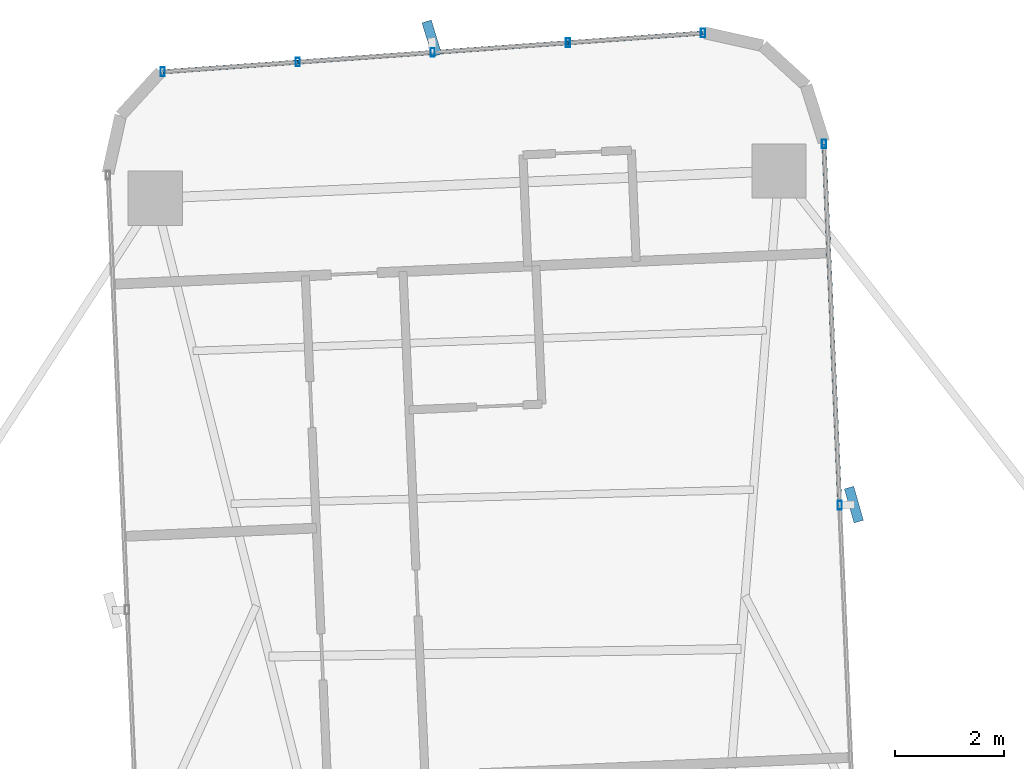
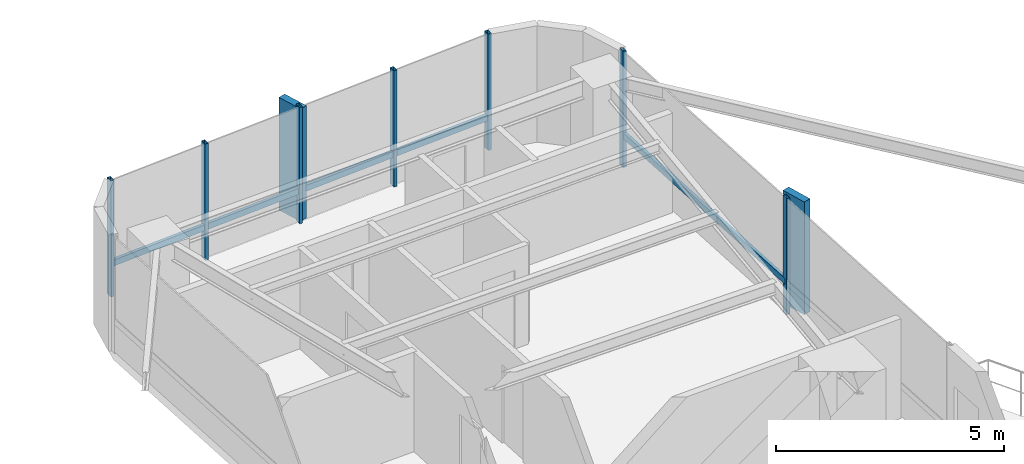
# One storey, part 19 of 27: 14 members, 2 elements without a shape of their own.
"""IFC4 building model written with IfcOpenShell, lengths in metres."""

from ifc_helpers import new_model, si_unit, direction, frame, origin, origin_2d, place, context, subcontext, project, spatial, rectangle, hollow_rectangle, extrude, source, transform, mapped, material, material_profile, profile_set, type_object, element, aggregate, save


model = new_model("IFC4")

# Units and contexts
model_context = context("Model", 3, precision=1e-05, world=origin(), true_north=direction((0.0, 1.0)))
body_context = subcontext(model_context, "Body", "Model", "MODEL_VIEW")
ifc_project = project(units=[si_unit("LENGTHUNIT", "METRE"), si_unit("AREAUNIT", "SQUARE_METRE"), si_unit("VOLUMEUNIT", "CUBIC_METRE"), si_unit("PLANEANGLEUNIT", "RADIAN"), si_unit("MASSUNIT", "GRAM", prefix="KILO")], contexts=[model_context])

# Site, building, storey
site_placement = place(None, origin())
site = spatial("IfcSite", under=ifc_project, at=site_placement, CompositionType="ELEMENT")
building_placement = place(site_placement, origin())
building = spatial("IfcBuilding", under=site, at=building_placement, Name="Sahyath Konkavel Grand Hotel", CompositionType="ELEMENT")
storey_placement = place(building_placement, frame((0.0, 0.0, 90.199951171875)))
storey = spatial("IfcBuildingStorey", under=building, at=storey_placement, Name="L24", CompositionType="ELEMENT", Elevation=90.199951171875)

# Curtain wall, member
ifc_material_1 = material(Name="Anodised Bronze Aluminium & Low-E Glazing", Category="aluminium")
curtain_wall_type = type_object("IfcCurtainWallType", Name="CW-ZONE2", PredefinedType="NOTDEFINED", material=ifc_material_1)
curtain_wall_1_placement = place(storey_placement, origin())
curtain_wall_1 = element("IfcCurtainWall", 1, at=curtain_wall_1_placement, inside=storey, type_object=curtain_wall_type, Name="L24 Unitised Curtain Wall F8", PredefinedType="NOTDEFINED")
ifc_material_2 = material(Name="Warm Buff Sandstone Cladding on Concrete C50/60", Category="masonry")
ifc_material_profile_1 = material_profile(ifc_material_2, rectangle(XDim=0.179931640625, YDim=0.64990234375, at=origin_2d()), Name="FIN 180x650")
ifc_profile_set_1 = profile_set([ifc_material_profile_1], Name="Warm Buff Sandstone Cladding on Concrete C50/60")
member_type_1 = type_object("IfcMemberType", Name="FIN-SANDSTONE-650", PredefinedType="MULLION", material=ifc_profile_set_1)
shared_shape_1 = source(origin(), body_context, "Body", "SweptSolid", [
    extrude(rectangle(XDim=0.179931640625, YDim=0.64990234375, at=origin_2d()), origin(), (0.0, 0.0, 1.0), 3.010009765625),
])
member_1_placement = place(storey_placement, frame((6.155517578125, 16.283935546875, 0.050048828125), z_axis=(0.0, 0.0, 1.0), x_axis=(0.961693479997, 0.274127070043, 0.0)))
member_1 = element("IfcMember", 2, at=member_1_placement, type_object=member_type_1, Name="L24 Sandstone Vertical Solar Fin FIN F8-1", PredefinedType="MULLION", context=body_context, shape_type="MappedRepresentation", body=[
    mapped(shared_shape_1, transform((0.0, 0.0, 0.0), scale=1.0)),
])

curtain_wall_2_placement = place(storey_placement, origin())
curtain_wall_2 = element("IfcCurtainWall", 3, at=curtain_wall_2_placement, inside=storey, type_object=curtain_wall_type, Name="L24 Unitised Curtain Wall F12", PredefinedType="NOTDEFINED")
member_2_placement = place(storey_placement, frame((-1.61865234375, 24.872314453125, 0.050048828125), z_axis=(0.0, 0.0, 1.0), x_axis=(0.955278362122, 0.295708050044, 0.0)))
member_2 = element("IfcMember", 4, at=member_2_placement, type_object=member_type_1, Name="L24 Sandstone Vertical Solar Fin FIN F12-2", PredefinedType="MULLION", context=body_context, shape_type="MappedRepresentation", body=[
    mapped(shared_shape_1, transform((0.0, 0.0, 0.0), scale=1.0)),
])

# Member
ifc_material_3 = material(Name="Anodised Bronze Aluminium", Category="aluminium")
ifc_material_profile_2 = material_profile(ifc_material_3, hollow_rectangle(XDim=0.080078125, YDim=0.159912109375, WallThickness=0.006103515625, at=origin_2d()), Name="RHS 160x80x6")
ifc_profile_set_2 = profile_set([ifc_material_profile_2], Name="Anodised Bronze Aluminium")
member_type_2 = type_object("IfcMemberType", Name="CW-MUL-160", PredefinedType="MULLION", material=ifc_profile_set_2)
shared_shape_2 = source(origin(), body_context, "Body", "SweptSolid", [
    extrude(hollow_rectangle(XDim=0.080078125, YDim=0.159912109375, WallThickness=0.006103515625, at=origin_2d()), origin(), (0.0, 0.0, 1.0), 3.110107421875),
])
member_3_placement = place(storey_placement, frame((5.895751953125, 16.272705078125, 0.0), z_axis=(0.0, 0.0, 1.0), x_axis=(1.0, 0.0, 0.0)))
member_3 = element("IfcMember", 5, at=member_3_placement, type_object=member_type_2, Name="L24 Curtain Wall Mullion F8-1", PredefinedType="MULLION", context=body_context, shape_type="MappedRepresentation", body=[
    mapped(shared_shape_2, transform((0.0, 0.0, 0.0), scale=1.0)),
])

member_4_placement = place(storey_placement, frame((5.605224609375, 22.92626953125, 0.0), z_axis=(0.0, 0.0, 1.0), x_axis=(1.0, 0.0, 0.0)))
member_4 = element("IfcMember", 6, at=member_4_placement, type_object=member_type_2, Name="L24 Curtain Wall Mullion F8-2", PredefinedType="MULLION", context=body_context, shape_type="MappedRepresentation", body=[
    mapped(shared_shape_2, transform((0.0, 0.0, 0.0), scale=1.0)),
])

member_5_placement = place(storey_placement, frame((3.3740234375, 24.9697265625, 0.0), z_axis=(0.0, 0.0, 1.0), x_axis=(1.0, 0.0, 0.0)))
member_5 = element("IfcMember", 7, at=member_5_placement, type_object=member_type_2, Name="L24 Curtain Wall Mullion F12-0", PredefinedType="MULLION", context=body_context, shape_type="MappedRepresentation", body=[
    mapped(shared_shape_2, transform((0.0, 0.0, 0.0), scale=1.0)),
])

member_6_placement = place(storey_placement, frame((0.886962890625, 24.79150390625, 0.0), z_axis=(0.0, 0.0, 1.0), x_axis=(1.0, 0.0, 0.0)))
member_6 = element("IfcMember", 8, at=member_6_placement, type_object=member_type_2, Name="L24 Curtain Wall Mullion F12-1", PredefinedType="MULLION", context=body_context, shape_type="MappedRepresentation", body=[
    mapped(shared_shape_2, transform((0.0, 0.0, 0.0), scale=1.0)),
])

member_7_placement = place(storey_placement, frame((-1.60009765625, 24.61279296875, 0.0), z_axis=(0.0, 0.0, 1.0), x_axis=(1.0, 0.0, 0.0)))
member_7 = element("IfcMember", 9, at=member_7_placement, type_object=member_type_2, Name="L24 Curtain Wall Mullion F12-2", PredefinedType="MULLION", context=body_context, shape_type="MappedRepresentation", body=[
    mapped(shared_shape_2, transform((0.0, 0.0, 0.0), scale=1.0)),
])

member_8_placement = place(storey_placement, frame((-4.087158203125, 24.4345703125, 0.0), z_axis=(0.0, 0.0, 1.0), x_axis=(1.0, 0.0, 0.0)))
member_8 = element("IfcMember", 10, at=member_8_placement, type_object=member_type_2, Name="L24 Curtain Wall Mullion F12-3", PredefinedType="MULLION", context=body_context, shape_type="MappedRepresentation", body=[
    mapped(shared_shape_2, transform((0.0, 0.0, 0.0), scale=1.0)),
])

member_9_placement = place(storey_placement, frame((-6.57421875, 24.256103515625, 0.0), z_axis=(0.0, 0.0, 1.0), x_axis=(1.0, 0.0, 0.0)))
member_9 = element("IfcMember", 11, at=member_9_placement, type_object=member_type_2, Name="L24 Curtain Wall Mullion F12-4", PredefinedType="MULLION", context=body_context, shape_type="MappedRepresentation", body=[
    mapped(shared_shape_2, transform((0.0, 0.0, 0.0), scale=1.0)),
])

ifc_material_profile_3 = material_profile(ifc_material_3, hollow_rectangle(XDim=0.080078125, YDim=0.159912109375, WallThickness=0.006103515625, at=origin_2d()), Name="RHS 160x80x6")
ifc_profile_set_3 = profile_set([ifc_material_profile_3], Name="Anodised Bronze Aluminium")
member_type_3 = type_object("IfcMemberType", Name="CW-TRN-160", PredefinedType="USERDEFINED", material=ifc_profile_set_3)
shared_shape_3 = source(origin(), body_context, "Body", "SweptSolid", [
    extrude(hollow_rectangle(XDim=0.080078125, YDim=0.159912109375, WallThickness=0.006103515625, at=origin_2d()), origin(), (0.0, 0.0, 1.0), 2.493408203125),
])
member_10_placement = place(storey_placement, frame((3.3740234375, 24.9697265625, 0.85009765625), z_axis=(-0.997442271688, -0.071476672066, 0.0), x_axis=(0.071476672066, -0.997442271688, 0.0)))
member_10 = element("IfcMember", 12, at=member_10_placement, type_object=member_type_3, Name="L24 Curtain Wall Transom F12-0-spandrel", ObjectType="TRANSOM", PredefinedType="USERDEFINED", context=body_context, shape_type="MappedRepresentation", body=[
    mapped(shared_shape_3, transform((0.0, 0.0, 0.0), scale=1.0)),
])

member_11_placement = place(storey_placement, frame((0.886962890625, 24.79150390625, 0.85009765625), z_axis=(-0.997428291631, -0.071671494009, 0.0), x_axis=(0.071671494009, -0.997428291631, 0.0)))
member_11 = element("IfcMember", 13, at=member_11_placement, type_object=member_type_3, Name="L24 Curtain Wall Transom F12-1-spandrel", ObjectType="TRANSOM", PredefinedType="USERDEFINED", context=body_context, shape_type="MappedRepresentation", body=[
    mapped(shared_shape_3, transform((0.0, 0.0, 0.0), scale=1.0)),
])

member_12_placement = place(storey_placement, frame((-1.60009765625, 24.61279296875, 0.85009765625), z_axis=(-0.997442271688, -0.071476672066, 0.0), x_axis=(0.071476672066, -0.997442271688, 0.0)))
member_12 = element("IfcMember", 14, at=member_12_placement, type_object=member_type_3, Name="L24 Curtain Wall Transom F12-2-spandrel", ObjectType="TRANSOM", PredefinedType="USERDEFINED", context=body_context, shape_type="MappedRepresentation", body=[
    mapped(shared_shape_3, transform((0.0, 0.0, 0.0), scale=1.0)),
])

member_13_placement = place(storey_placement, frame((-4.087158203125, 24.4345703125, 0.85009765625), z_axis=(-0.997435286367, -0.071574084062, 0.0), x_axis=(0.071574084062, -0.997435286367, 0.0)))
member_13 = element("IfcMember", 15, at=member_13_placement, type_object=member_type_3, Name="L24 Curtain Wall Transom F12-3-spandrel", ObjectType="TRANSOM", PredefinedType="USERDEFINED", context=body_context, shape_type="MappedRepresentation", body=[
    mapped(shared_shape_3, transform((0.0, 0.0, 0.0), scale=1.0)),
])

aggregate(curtain_wall_2, [member_5, member_6, member_7, member_2, member_8, member_9, member_10, member_11, member_12, member_13])

shared_shape_4 = source(origin(), body_context, "Body", "SweptSolid", [
    extrude(hollow_rectangle(XDim=0.080078125, YDim=0.159912109375, WallThickness=0.006103515625, at=origin_2d()), origin(), (0.0, 0.0, 1.0), 6.659912109375),
])
member_14_placement = place(storey_placement, frame((5.895751953125, 16.272705078125, 0.85009765625), z_axis=(-0.043623350741, 0.999048048529, 0.0), x_axis=(-0.999048048529, -0.043623350741, 0.0)))
member_14 = element("IfcMember", 16, at=member_14_placement, type_object=member_type_3, Name="L24 Curtain Wall Transom F8-1-spandrel", ObjectType="TRANSOM", PredefinedType="USERDEFINED", context=body_context, shape_type="MappedRepresentation", body=[
    mapped(shared_shape_4, transform((0.0, 0.0, 0.0), scale=1.0)),
])

aggregate(curtain_wall_1, [member_3, member_1, member_4, member_14])

save(model, "model.ifc")
